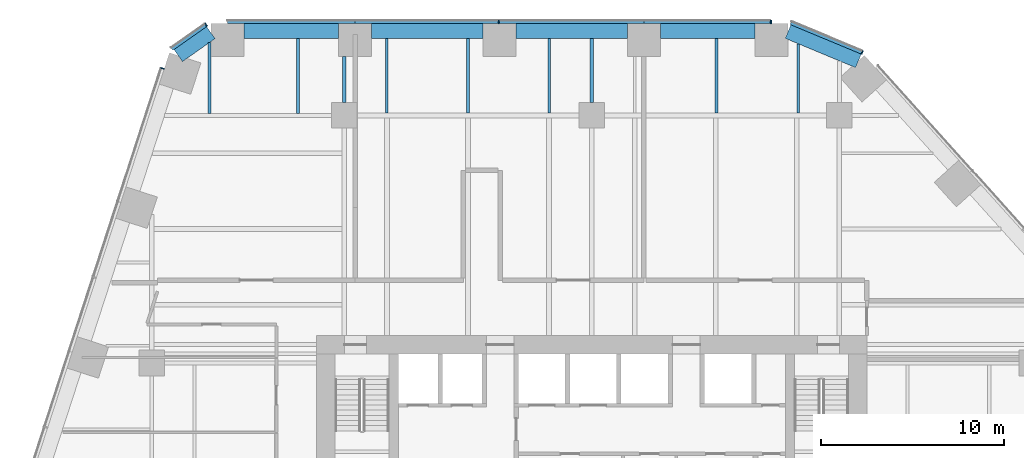
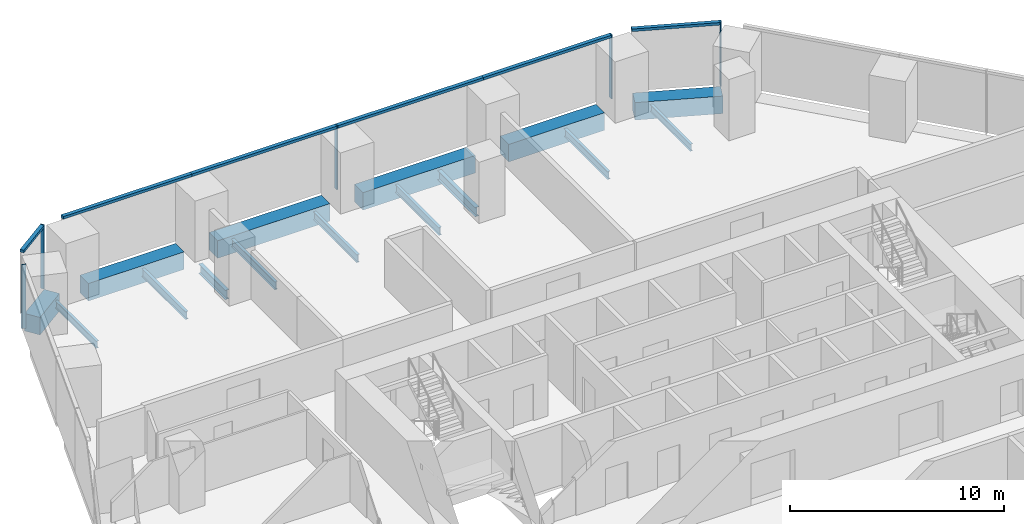
# One storey, part 12 of 20: 15 beams, 11 members, 4 elements without a shape of their own.
"""IFC4 building model written with IfcOpenShell, lengths in metres."""

from ifc_helpers import new_model, si_unit, direction, frame, origin, origin_2d, place, context, subcontext, project, spatial, rectangle, i_section, extrude, material, layer, layer_set, material_profile, profile_set, type_object, element, aggregate, save


model = new_model("IFC4")

# Units and contexts
model_context = context("Model", 3, precision=1e-05, world=origin(), true_north=direction((0.0, 1.0)))
body_context = subcontext(model_context, "Body", "Model", "MODEL_VIEW")
ifc_project = project(units=[si_unit("LENGTHUNIT", "METRE"), si_unit("AREAUNIT", "SQUARE_METRE"), si_unit("VOLUMEUNIT", "CUBIC_METRE"), si_unit("PLANEANGLEUNIT", "RADIAN"), si_unit("MASSUNIT", "GRAM", prefix="KILO")], contexts=[model_context])

# Site, building, storey
site_placement = place(None, origin())
site = spatial("IfcSite", under=ifc_project, at=site_placement, CompositionType="ELEMENT")
building_placement = place(site_placement, origin())
building = spatial("IfcBuilding", under=site, at=building_placement, Name="Isthmus Gate Tower", CompositionType="ELEMENT")
storey_placement = place(building_placement, frame((0.0, 0.0, 61.550048828125)))
storey = spatial("IfcBuildingStorey", under=building, at=storey_placement, Name="L13", CompositionType="ELEMENT", Elevation=61.550048828125)

# Curtain wall, members
ifc_material_1 = material(Name="Aluminium, pale champagne anodised", Category="aluminium")
ifc_layer = layer(ifc_material_1, 0.199951171875)
ifc_layer_set = layer_set([ifc_layer], Name="CW-1 UNITISED CURTAIN WALL 200 DEEP")
curtain_wall_type = type_object("IfcCurtainWallType", Name="CW-1 UNITISED CURTAIN WALL 200 DEEP", PredefinedType="NOTDEFINED", material=ifc_layer_set)
curtain_wall_1_placement = place(storey_placement, origin())
curtain_wall_1 = element("IfcCurtainWall", 1, at=curtain_wall_1_placement, inside=storey, type_object=curtain_wall_type, Name="CW-1 N L13", PredefinedType="NOTDEFINED")
ifc_material_2 = material(Name="Aluminium, pale champagne anodised", Category="aluminium")
ifc_material_profile_1 = material_profile(ifc_material_2, rectangle(XDim=0.06005859375, YDim=0.199951171875, at=origin_2d()), Name="60x200")
ifc_profile_set_1 = profile_set([ifc_material_profile_1], Name="Aluminium, pale champagne anodised")
member_type_1 = type_object("IfcMemberType", Name="CW-1 MULLION 60 X 200", PredefinedType="MULLION", material=ifc_profile_set_1)
member_1_placement = place(storey_placement, frame((9.77197265625, 32.10009765625, 0.0), z_axis=(0.0, 0.0, 1.0), x_axis=(-1.0, 0.0, 0.0)))
member_1 = element("IfcMember", 2, at=member_1_placement, type_object=member_type_1, Name="CW-1 mullion", PredefinedType="MULLION", context=body_context, shape_type="SweptSolid", body=[
    extrude(rectangle(XDim=0.06005859375, YDim=0.199951171875, at=origin_2d()), origin(), (0.0, 0.0, 1.0), 3.64990234375),
])
member_2_placement = place(storey_placement, frame((-5.067138671875, 32.10009765625, 0.0), z_axis=(0.0, 0.0, 1.0), x_axis=(-1.0, 0.0, 0.0)))
member_2 = element("IfcMember", 3, at=member_2_placement, type_object=member_type_1, Name="CW-1 mullion", PredefinedType="MULLION", context=body_context, shape_type="SweptSolid", body=[
    extrude(rectangle(XDim=0.06005859375, YDim=0.199951171875, at=origin_2d()), origin(), (0.0, 0.0, 1.0), 3.64990234375),
])

# Curtain wall, member
curtain_wall_2_placement = place(storey_placement, origin())
curtain_wall_2 = element("IfcCurtainWall", 4, at=curtain_wall_2_placement, inside=storey, type_object=curtain_wall_type, Name="CW-1 N-NW L13", PredefinedType="NOTDEFINED")
member_3_placement = place(storey_placement, frame((-21.031005859375, 31.943115234375, 0.0), z_axis=(0.0, 0.0, 1.0), x_axis=(-0.81785959165, -0.57541783805, 0.0)))
member_3 = element("IfcMember", 5, at=member_3_placement, type_object=member_type_1, Name="CW-1 mullion", PredefinedType="MULLION", context=body_context, shape_type="SweptSolid", body=[
    extrude(rectangle(XDim=0.06005859375, YDim=0.199951171875, at=origin_2d()), origin(), (0.0, 0.0, 1.0), 3.64990234375),
])

curtain_wall_3_placement = place(storey_placement, origin())
curtain_wall_3 = element("IfcCurtainWall", 6, at=curtain_wall_3_placement, inside=storey, type_object=curtain_wall_type, Name="CW-1 NW L13", PredefinedType="NOTDEFINED")
member_4_placement = place(storey_placement, frame((-23.41162109375, 29.561279296875, 0.0), z_axis=(0.0, 0.0, 1.0), x_axis=(-0.309016994375, -0.951056516295, 0.0)))
member_4 = element("IfcMember", 7, at=member_4_placement, type_object=member_type_1, Name="CW-1 mullion", PredefinedType="MULLION", context=body_context, shape_type="SweptSolid", body=[
    extrude(rectangle(XDim=0.06005859375, YDim=0.199951171875, at=origin_2d()), origin(), (0.0, 0.0, 1.0), 3.64990234375),
])
aggregate(curtain_wall_3, [member_4])

curtain_wall_4_placement = place(storey_placement, origin())
curtain_wall_4 = element("IfcCurtainWall", 8, at=curtain_wall_4_placement, inside=storey, type_object=curtain_wall_type, Name="CW-1 NE-N L13", PredefinedType="NOTDEFINED")
member_5_placement = place(storey_placement, frame((14.744140625, 30.427490234375, 0.0), z_axis=(0.0, 0.0, 1.0), x_axis=(-0.923353128387, 0.383951820282, 0.0)))
member_5 = element("IfcMember", 9, at=member_5_placement, type_object=member_type_1, Name="CW-1 mullion", PredefinedType="MULLION", context=body_context, shape_type="SweptSolid", body=[
    extrude(rectangle(XDim=0.06005859375, YDim=0.199951171875, at=origin_2d()), origin(), (0.0, 0.0, 1.0), 3.64990234375),
])

# Member
ifc_material_3 = material(Name="Aluminium, pale champagne anodised", Category="aluminium")
ifc_material_profile_2 = material_profile(ifc_material_3, rectangle(XDim=0.199951171875, YDim=0.14990234375, at=origin_2d()), Name="200x150")
ifc_profile_set_2 = profile_set([ifc_material_profile_2], Name="Aluminium, pale champagne anodised")
member_type_2 = type_object("IfcMemberType", Name="CW-1 TRANSOM 200 X 150", PredefinedType="USERDEFINED", material=ifc_profile_set_2)
member_6_placement = place(storey_placement, frame((9.741943359375, 32.10009765625, 3.574951171875), z_axis=(-1.0, 0.0, 0.0), x_axis=(0.0, -1.0, 0.0)))
member_6 = element("IfcMember", 10, at=member_6_placement, type_object=member_type_2, Name="CW-1 transom", ObjectType="TRANSOM", PredefinedType="USERDEFINED", context=body_context, shape_type="SweptSolid", body=[
    extrude(rectangle(XDim=0.199951171875, YDim=0.14990234375, at=origin_2d()), origin(), (0.0, 0.0, 1.0), 6.90966796875),
])

member_7_placement = place(storey_placement, frame((2.832275390625, 32.10009765625, 3.574951171875), z_axis=(-1.0, 0.0, 0.0), x_axis=(0.0, -1.0, 0.0)))
member_7 = element("IfcMember", 11, at=member_7_placement, type_object=member_type_2, Name="CW-1 transom", ObjectType="TRANSOM", PredefinedType="USERDEFINED", context=body_context, shape_type="SweptSolid", body=[
    extrude(rectangle(XDim=0.199951171875, YDim=0.14990234375, at=origin_2d()), origin(), (0.0, 0.0, 1.0), 7.869384765625),
])

member_8_placement = place(storey_placement, frame((-5.09716796875, 32.10009765625, 3.574951171875), z_axis=(-1.0, 0.0, 0.0), x_axis=(0.0, -1.0, 0.0)))
member_8 = element("IfcMember", 12, at=member_8_placement, type_object=member_type_2, Name="CW-1 transom", ObjectType="TRANSOM", PredefinedType="USERDEFINED", context=body_context, shape_type="SweptSolid", body=[
    extrude(rectangle(XDim=0.199951171875, YDim=0.14990234375, at=origin_2d()), origin(), (0.0, 0.0, 1.0), 7.8095703125),
])

member_9_placement = place(storey_placement, frame((-12.90673828125, 32.10009765625, 3.574951171875), z_axis=(-1.0, 0.0, 0.0), x_axis=(0.0, -1.0, 0.0)))
member_9 = element("IfcMember", 13, at=member_9_placement, type_object=member_type_2, Name="CW-1 transom", ObjectType="TRANSOM", PredefinedType="USERDEFINED", context=body_context, shape_type="SweptSolid", body=[
    extrude(rectangle(XDim=0.199951171875, YDim=0.14990234375, at=origin_2d()), origin(), (0.0, 0.0, 1.0), 6.969482421875),
])

aggregate(curtain_wall_1, [member_1, member_6, member_7, member_2, member_8, member_9])

member_10_placement = place(storey_placement, frame((-21.055419921875, 31.92578125, 3.574951171875), z_axis=(-0.817868595604, -0.575405040233, 0.0), x_axis=(0.575405040233, -0.817868595604, 0.0)))
member_10 = element("IfcMember", 14, at=member_10_placement, type_object=member_type_2, Name="CW-1 transom", ObjectType="TRANSOM", PredefinedType="USERDEFINED", context=body_context, shape_type="SweptSolid", body=[
    extrude(rectangle(XDim=0.199951171875, YDim=0.14990234375, at=origin_2d()), origin(), (0.0, 0.0, 1.0), 2.258544921875),
])

aggregate(curtain_wall_2, [member_3, member_10])

member_11_placement = place(storey_placement, frame((14.716552734375, 30.43896484375, 3.574951171875), z_axis=(-0.923358236369, 0.383939536033, 0.0), x_axis=(-0.383939536033, -0.923358236369, 0.0)))
member_11 = element("IfcMember", 15, at=member_11_placement, type_object=member_type_2, Name="CW-1 transom", ObjectType="TRANSOM", PredefinedType="USERDEFINED", context=body_context, shape_type="SweptSolid", body=[
    extrude(rectangle(XDim=0.199951171875, YDim=0.14990234375, at=origin_2d()), origin(), (0.0, 0.0, 1.0), 4.181640625),
])

aggregate(curtain_wall_4, [member_5, member_11])

# Beams
ifc_material_4 = material(Name="Concrete f'c 70 MPa", Category="concrete")
ifc_material_profile_3 = material_profile(ifc_material_4, rectangle(XDim=0.800048828125, YDim=1.0, at=origin_2d()), Name="RC 800X1000")
ifc_profile_set_3 = profile_set([ifc_material_profile_3], Name="Concrete f'c 70 MPa")
beam_type_1 = type_object("IfcBeamType", Name="RC SPANDREL 800 X 1000", PredefinedType="SPANDREL", material=ifc_profile_set_3)
beam_1_placement = place(storey_placement, frame((10.701904296875, 31.56689453125, -0.5), z_axis=(0.923334166719, -0.383997417399, 0.0), x_axis=(0.383997417399, 0.923334166719, 0.0)))
element("IfcBeam", 16, at=beam_1_placement, inside=storey, type_object=beam_type_1, Name="str-spandrel-L13-00", PredefinedType="SPANDREL", context=body_context, shape_type="SweptSolid", body=[
    extrude(rectangle(XDim=0.800048828125, YDim=1.0, at=origin_2d()), origin(), (0.0, 0.0, 1.0), 4.15234375),
])
beam_2_placement = place(storey_placement, frame((-22.553466796875, 30.260498046875, -0.5), z_axis=(0.817857331203, 0.575421050882, 0.0), x_axis=(-0.575421050882, 0.817857331203, 0.0)))
element("IfcBeam", 17, at=beam_2_placement, inside=storey, type_object=beam_type_1, Name="str-spandrel-L13-22", PredefinedType="SPANDREL", context=body_context, shape_type="SweptSolid", body=[
    extrude(rectangle(XDim=0.800048828125, YDim=1.0, at=origin_2d()), origin(), (0.0, 0.0, 1.0), 2.173095703125),
])
beam_3_placement = place(storey_placement, frame((-18.976318359375, 31.60009765625, -0.5), z_axis=(1.0, 0.0, 0.0), x_axis=(0.0, 1.0, 0.0)))
element("IfcBeam", 18, at=beam_3_placement, inside=storey, type_object=beam_type_1, Name="str-spandrel-L13-23", PredefinedType="SPANDREL", context=body_context, shape_type="SweptSolid", body=[
    extrude(rectangle(XDim=0.800048828125, YDim=1.0, at=origin_2d()), origin(), (0.0, 0.0, 1.0), 5.169677734375),
])
beam_4_placement = place(storey_placement, frame((-12.006591796875, 31.60009765625, -0.5), z_axis=(1.0, 0.0, 0.0), x_axis=(0.0, 1.0, 0.0)))
element("IfcBeam", 19, at=beam_4_placement, inside=storey, type_object=beam_type_1, Name="str-spandrel-L13-24", PredefinedType="SPANDREL", context=body_context, shape_type="SweptSolid", body=[
    extrude(rectangle(XDim=0.800048828125, YDim=1.0, at=origin_2d()), origin(), (0.0, 0.0, 1.0), 6.0693359375),
])
beam_5_placement = place(storey_placement, frame((-4.13720703125, 31.60009765625, -0.5), z_axis=(1.0, 0.0, 0.0), x_axis=(0.0, 1.0, 0.0)))
element("IfcBeam", 20, at=beam_5_placement, inside=storey, type_object=beam_type_1, Name="str-spandrel-L13-25", PredefinedType="SPANDREL", context=body_context, shape_type="SweptSolid", body=[
    extrude(rectangle(XDim=0.800048828125, YDim=1.0, at=origin_2d()), origin(), (0.0, 0.0, 1.0), 6.069580078125),
])
beam_6_placement = place(storey_placement, frame((3.732421875, 31.60009765625, -0.5), z_axis=(1.0, 0.0, 0.0), x_axis=(0.0, 1.0, 0.0)))
element("IfcBeam", 21, at=beam_6_placement, inside=storey, type_object=beam_type_1, Name="str-spandrel-L13-26", PredefinedType="SPANDREL", context=body_context, shape_type="SweptSolid", body=[
    extrude(rectangle(XDim=0.800048828125, YDim=1.0, at=origin_2d()), origin(), (0.0, 0.0, 1.0), 5.16943359375),
])
ifc_material_5 = material(Name="Structural steel ASTM A992 Gr 50", Category="steel")
ifc_material_profile_4 = material_profile(ifc_material_5, i_section(OverallWidth=0.1396484375, OverallDepth=0.4033203125, WebThickness=0.00634765625, FlangeThickness=0.010986328125, at=origin_2d()), Name="W16X31")
ifc_profile_set_4 = profile_set([ifc_material_profile_4], Name="Structural steel ASTM A992 Gr 50")
beam_type_2 = type_object("IfcBeamType", Name="STEEL FLOOR BEAM W16X31", PredefinedType="JOIST", material=ifc_profile_set_4)
beam_7_placement = place(storey_placement, frame((-20.846435546875, 27.1142578125, -0.3515625), z_axis=(0.0, 1.0, 0.0), x_axis=(-1.0, 0.0, 0.0)))
element("IfcBeam", 22, at=beam_7_placement, inside=storey, type_object=beam_type_2, Name="str-beam-L13-08-00", PredefinedType="JOIST", context=body_context, shape_type="SweptSolid", body=[
    extrude(i_section(OverallWidth=0.1396484375, OverallDepth=0.4033203125, WebThickness=0.00634765625, FlangeThickness=0.010986328125, at=origin_2d()), origin(), (0.0, 0.0, 1.0), 3.858154296875),
])
beam_8_placement = place(storey_placement, frame((11.267578125, 27.1318359375, -0.3515625), z_axis=(0.0, 1.0, 0.0), x_axis=(-1.0, 0.0, 0.0)))
element("IfcBeam", 23, at=beam_8_placement, inside=storey, type_object=beam_type_2, Name="str-beam-L13-19-02", PredefinedType="JOIST", context=body_context, shape_type="SweptSolid", body=[
    extrude(i_section(OverallWidth=0.1396484375, OverallDepth=0.4033203125, WebThickness=0.00634765625, FlangeThickness=0.010986328125, at=origin_2d()), origin(), (0.0, 0.0, 1.0), 3.7666015625),
])
ifc_material_6 = material(Name="Structural steel ASTM A992 Gr 50", Category="steel")
ifc_material_profile_5 = material_profile(ifc_material_6, i_section(OverallWidth=0.15234375, OverallDepth=0.45068359375, WebThickness=0.0078125, FlangeThickness=0.010986328125, at=origin_2d()), Name="W18X35")
ifc_profile_set_5 = profile_set([ifc_material_profile_5], Name="Structural steel ASTM A992 Gr 50")
beam_type_3 = type_object("IfcBeamType", Name="STEEL FLOOR BEAM W18X35", PredefinedType="JOIST", material=ifc_profile_set_5)
beam_9_placement = place(storey_placement, frame((-16.0185546875, 27.1142578125, -0.37548828125), z_axis=(0.0, 1.0, 0.0), x_axis=(-1.0, 0.0, 0.0)))
element("IfcBeam", 24, at=beam_9_placement, inside=storey, type_object=beam_type_3, Name="str-beam-L13-08-01", PredefinedType="JOIST", context=body_context, shape_type="SweptSolid", body=[
    extrude(i_section(OverallWidth=0.15234375, OverallDepth=0.45068359375, WebThickness=0.0078125, FlangeThickness=0.010986328125, at=origin_2d()), origin(), (0.0, 0.0, 1.0), 4.085693359375),
])
for number, where, z_axis, x_axis, name in (
    (25, (-11.18017578125, 27.1318359375, -0.37548828125), (0.0, 1.0, 0.0), (-1.0, 0.0, 0.0), "str-beam-L13-14-00"),
    (26, (-6.75, 27.1318359375, -0.37548828125), (0.0, 1.0, 0.0), (-1.0, 0.0, 0.0), "str-beam-L13-14-01"),
    (27, (-2.31982421875, 27.1318359375, -0.37548828125), (0.0, 1.0, 0.0), (-1.0, 0.0, 0.0), "str-beam-L13-14-02"),
    (28, (6.802490234375, 27.1318359375, -0.37548828125), (0.0, 1.0, 0.0), (-1.0, 0.0, 0.0), "str-beam-L13-19-01"),
):
    element("IfcBeam", number, at=place(storey_placement, frame(where, z_axis=z_axis, x_axis=x_axis)), inside=storey, type_object=beam_type_3, Name=name, PredefinedType="JOIST", context=body_context, shape_type="SweptSolid", body=[
        extrude(i_section(OverallWidth=0.15234375, OverallDepth=0.45068359375, WebThickness=0.0078125, FlangeThickness=0.010986328125, at=origin_2d()), origin(), (0.0, 0.0, 1.0), 4.068115234375),
    ])
ifc_material_7 = material(Name="Structural steel ASTM A992 Gr 50", Category="steel")
ifc_material_profile_6 = material_profile(ifc_material_7, i_section(OverallWidth=0.20947265625, OverallDepth=0.533447265625, WebThickness=0.009521484375, FlangeThickness=0.015869140625, at=origin_2d()), Name="W21X62")
ifc_profile_set_6 = profile_set([ifc_material_profile_6], Name="Structural steel ASTM A992 Gr 50")
beam_type_4 = type_object("IfcBeamType", Name="STEEL GIRDER W21X62", PredefinedType="BEAM", material=ifc_profile_set_6)
beam_10_placement = place(storey_placement, frame((-13.5, 27.699951171875, -0.416748046875), z_axis=(0.0, 1.0, 0.0), x_axis=(-1.0, 0.0, 0.0)))
element("IfcBeam", 29, at=beam_10_placement, inside=storey, type_object=beam_type_4, Name="str-girder-L13-27", PredefinedType="BEAM", context=body_context, shape_type="SweptSolid", body=[
    extrude(i_section(OverallWidth=0.20947265625, OverallDepth=0.533447265625, WebThickness=0.009521484375, FlangeThickness=0.015869140625, at=origin_2d()), origin(), (0.0, 0.0, 1.0), 2.5),
])
beam_11_placement = place(storey_placement, frame((0.0, 27.699951171875, -0.416748046875), z_axis=(0.0, 1.0, 0.0), x_axis=(-1.0, 0.0, 0.0)))
element("IfcBeam", 30, at=beam_11_placement, inside=storey, type_object=beam_type_4, Name="str-girder-L13-30", PredefinedType="BEAM", context=body_context, shape_type="SweptSolid", body=[
    extrude(i_section(OverallWidth=0.20947265625, OverallDepth=0.533447265625, WebThickness=0.009521484375, FlangeThickness=0.015869140625, at=origin_2d()), origin(), (0.0, 0.0, 1.0), 3.5),
])

save(model, "model.ifc")
